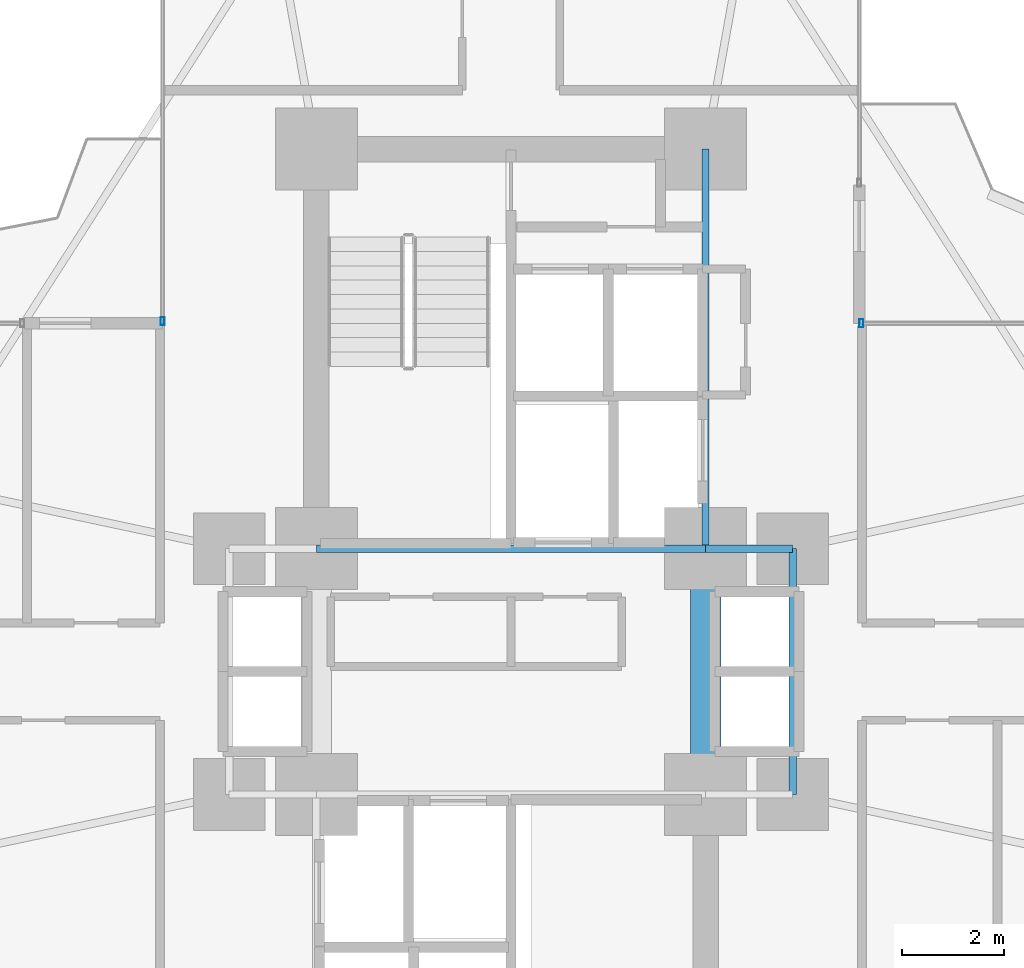
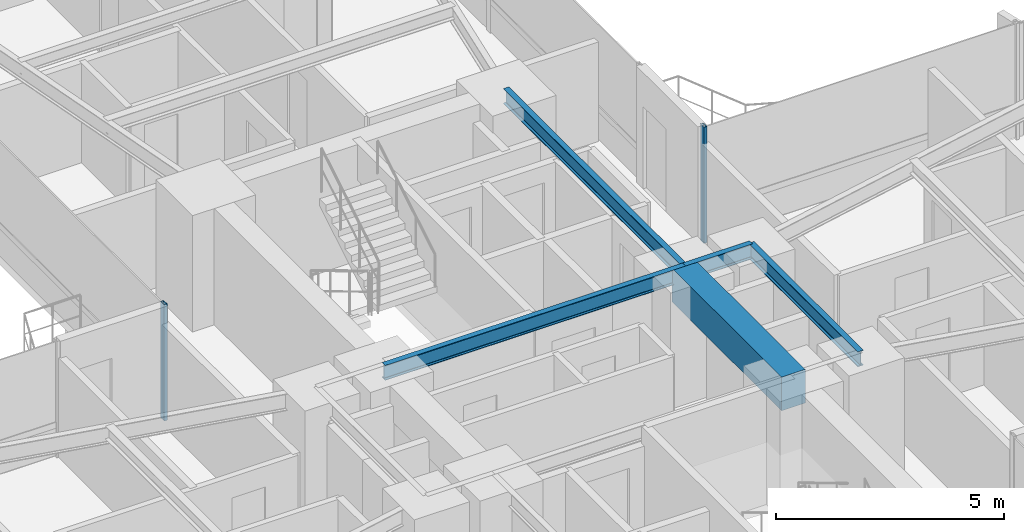
# One storey, part 12 of 26: 5 beams, 2 members, 2 elements without a shape of their own.
"""IFC4 building model written with IfcOpenShell, lengths in metres."""

from ifc_helpers import new_model, si_unit, direction, frame, origin, origin_2d, place, context, subcontext, project, spatial, rectangle, hollow_rectangle, i_section, extrude, source, transform, mapped, material, material_profile, profile_set, type_object, element, aggregate, save


model = new_model("IFC4")

# Units and contexts
model_context = context("Model", 3, precision=1e-05, world=origin(), true_north=direction((0.0, 1.0)))
body_context = subcontext(model_context, "Body", "Model", "MODEL_VIEW")
ifc_project = project(units=[si_unit("LENGTHUNIT", "METRE"), si_unit("AREAUNIT", "SQUARE_METRE"), si_unit("VOLUMEUNIT", "CUBIC_METRE"), si_unit("PLANEANGLEUNIT", "RADIAN"), si_unit("MASSUNIT", "GRAM", prefix="KILO")], contexts=[model_context])

# Site, building, storey
site_placement = place(None, origin())
site = spatial("IfcSite", under=ifc_project, at=site_placement, CompositionType="ELEMENT")
building_placement = place(site_placement, origin())
building = spatial("IfcBuilding", under=site, at=building_placement, Name="Sahyath Konkavel Grand Hotel", CompositionType="ELEMENT")
storey_placement = place(building_placement, frame((0.0, 0.0, 26.449951171875)))
storey = spatial("IfcBuildingStorey", under=building, at=storey_placement, Name="L06", CompositionType="ELEMENT", Elevation=26.449951171875)

# Beams
ifc_material_1 = material(Name="Concrete C70/85", Category="concrete")
ifc_material_profile_1 = material_profile(ifc_material_1, rectangle(XDim=0.60009765625, YDim=0.89990234375, at=origin_2d()), Name="RC 600x900")
ifc_profile_set_1 = profile_set([ifc_material_profile_1], Name="Concrete C70/85")
beam_type_1 = type_object("IfcBeamType", Name="BM-CB600x900", PredefinedType="LINTEL", material=ifc_profile_set_1)
shared_shape_1 = source(origin(), body_context, "Body", "SweptSolid", [
    extrude(rectangle(XDim=0.60009765625, YDim=0.89990234375, at=origin_2d()), origin(), (0.0, 0.0, 1.0), 4.7998046875),
])
beam_1_placement = place(storey_placement, frame((3.800048828125, -2.39990234375, 2.66015625), z_axis=(0.0, 1.0, 0.0), x_axis=(-1.0, 0.0, 0.0)))
element("IfcBeam", 1, at=beam_1_placement, inside=storey, type_object=beam_type_1, Name="L06 Split-Core Coupling Beam East", PredefinedType="LINTEL", context=body_context, shape_type="MappedRepresentation", body=[
    mapped(shared_shape_1, transform((0.0, 0.0, 0.0), scale=1.0)),
])
ifc_material_2 = material(Name="Steel E350", Category="steel")
ifc_material_profile_2 = material_profile(ifc_material_2, i_section(OverallWidth=0.139892578125, OverallDepth=0.39990234375, WebThickness=0.0087890625, FlangeThickness=0.01611328125, FilletRadius=0.013916015625, at=origin_2d()), Name="ISMB 400")
ifc_profile_set_2 = profile_set([ifc_material_profile_2], Name="Steel E350")
beam_type_2 = type_object("IfcBeamType", Name="BM-ISMB400", PredefinedType="BEAM", material=ifc_profile_set_2)
shared_shape_2 = source(origin(), body_context, "Body", "SweptSolid", [
    extrude(i_section(OverallWidth=0.139892578125, OverallDepth=0.39990234375, WebThickness=0.0087890625, FlangeThickness=0.01611328125, FilletRadius=0.013916015625, at=origin_2d()), origin(), (0.0, 0.0, 1.0), 7.60009765625),
])
beam_2_placement = place(storey_placement, frame((-3.800048828125, 2.39990234375, 2.91015625), z_axis=(1.0, 0.0, 0.0), x_axis=(0.0, 1.0, 0.0)))
element("IfcBeam", 2, at=beam_2_placement, inside=storey, type_object=beam_type_2, Name="str:bm:L06:NC-S", PredefinedType="BEAM", context=body_context, shape_type="MappedRepresentation", body=[
    mapped(shared_shape_2, transform((0.0, 0.0, 0.0), scale=1.0)),
])
shared_shape_3 = source(origin(), body_context, "Body", "SweptSolid", [
    extrude(i_section(OverallWidth=0.139892578125, OverallDepth=0.39990234375, WebThickness=0.0087890625, FlangeThickness=0.01611328125, FilletRadius=0.013916015625, at=origin_2d()), origin(), (0.0, 0.0, 1.0), 7.800048828125),
])
beam_3_placement = place(storey_placement, frame((3.800048828125, 2.39990234375, 2.91015625), z_axis=(0.0, 1.0, 0.0), x_axis=(-1.0, 0.0, 0.0)))
element("IfcBeam", 3, at=beam_3_placement, inside=storey, type_object=beam_type_2, Name="str:bm:L06:NC-E", PredefinedType="BEAM", context=body_context, shape_type="MappedRepresentation", body=[
    mapped(shared_shape_3, transform((0.0, 0.0, 0.0), scale=1.0)),
])
shared_shape_4 = source(origin(), body_context, "Body", "SweptSolid", [
    extrude(i_section(OverallWidth=0.139892578125, OverallDepth=0.39990234375, WebThickness=0.0087890625, FlangeThickness=0.01611328125, FilletRadius=0.013916015625, at=origin_2d()), origin(), (0.0, 0.0, 1.0), 1.699951171875),
])
beam_4_placement = place(storey_placement, frame((3.800048828125, 2.39990234375, 2.91015625), z_axis=(1.0, 0.0, 0.0), x_axis=(0.0, 1.0, 0.0)))
element("IfcBeam", 4, at=beam_4_placement, inside=storey, type_object=beam_type_2, Name="str:bm:L06:HB-NE", PredefinedType="BEAM", context=body_context, shape_type="MappedRepresentation", body=[
    mapped(shared_shape_4, transform((0.0, 0.0, 0.0), scale=1.0)),
])
shared_shape_5 = source(origin(), body_context, "Body", "SweptSolid", [
    extrude(i_section(OverallWidth=0.139892578125, OverallDepth=0.39990234375, WebThickness=0.0087890625, FlangeThickness=0.01611328125, FilletRadius=0.013916015625, at=origin_2d()), origin(), (0.0, 0.0, 1.0), 4.7998046875),
])
beam_5_placement = place(storey_placement, frame((5.5, -2.39990234375, 2.91015625), z_axis=(0.0, 1.0, 0.0), x_axis=(-1.0, 0.0, 0.0)))
element("IfcBeam", 5, at=beam_5_placement, inside=storey, type_object=beam_type_2, Name="str:bm:L06:HB-E", PredefinedType="BEAM", context=body_context, shape_type="MappedRepresentation", body=[
    mapped(shared_shape_5, transform((0.0, 0.0, 0.0), scale=1.0)),
])

# Curtain wall, member
ifc_material_3 = material(Name="Anodised Bronze Aluminium & Low-E Glazing", Category="aluminium")
curtain_wall_type = type_object("IfcCurtainWallType", Name="CW-ZONE1", PredefinedType="NOTDEFINED", material=ifc_material_3)
curtain_wall_1_placement = place(storey_placement, origin())
curtain_wall_1 = element("IfcCurtainWall", 6, at=curtain_wall_1_placement, inside=storey, type_object=curtain_wall_type, Name="L06 Unitised Curtain Wall F7", PredefinedType="NOTDEFINED")
ifc_material_4 = material(Name="Anodised Bronze Aluminium", Category="aluminium")
ifc_material_profile_3 = material_profile(ifc_material_4, hollow_rectangle(XDim=0.080078125, YDim=0.159912109375, WallThickness=0.006103515625, at=origin_2d()), Name="RHS 160x80x6")
ifc_profile_set_3 = profile_set([ifc_material_profile_3], Name="Anodised Bronze Aluminium")
member_type = type_object("IfcMemberType", Name="CW-MUL-160", PredefinedType="MULLION", material=ifc_profile_set_3)
shared_shape_6 = source(origin(), body_context, "Body", "SweptSolid", [
    extrude(hollow_rectangle(XDim=0.080078125, YDim=0.159912109375, WallThickness=0.006103515625, at=origin_2d()), origin(), (0.0, 0.0, 1.0), 3.110107421875),
])
member_1_placement = place(storey_placement, frame((6.840087890625, 6.800048828125, 0.0), z_axis=(0.0, 0.0, 1.0), x_axis=(1.0, 0.0, 0.0)))
member_1 = element("IfcMember", 7, at=member_1_placement, type_object=member_type, Name="L06 Curtain Wall Mullion F7-2", PredefinedType="MULLION", context=body_context, shape_type="MappedRepresentation", body=[
    mapped(shared_shape_6, transform((0.0, 0.0, 0.0), scale=1.0)),
])
aggregate(curtain_wall_1, [member_1])

curtain_wall_2_placement = place(storey_placement, origin())
curtain_wall_2 = element("IfcCurtainWall", 8, at=curtain_wall_2_placement, inside=storey, type_object=curtain_wall_type, Name="L06 Unitised Curtain Wall F15", PredefinedType="NOTDEFINED")
member_2_placement = place(storey_placement, frame((-6.800048828125, 6.840087890625, 0.0), z_axis=(0.0, 0.0, 1.0), x_axis=(1.0, 0.0, 0.0)))
member_2 = element("IfcMember", 9, at=member_2_placement, type_object=member_type, Name="L06 Curtain Wall Mullion F15-2", PredefinedType="MULLION", context=body_context, shape_type="MappedRepresentation", body=[
    mapped(shared_shape_6, transform((0.0, 0.0, 0.0), scale=1.0)),
])
aggregate(curtain_wall_2, [member_2])

save(model, "model.ifc")
